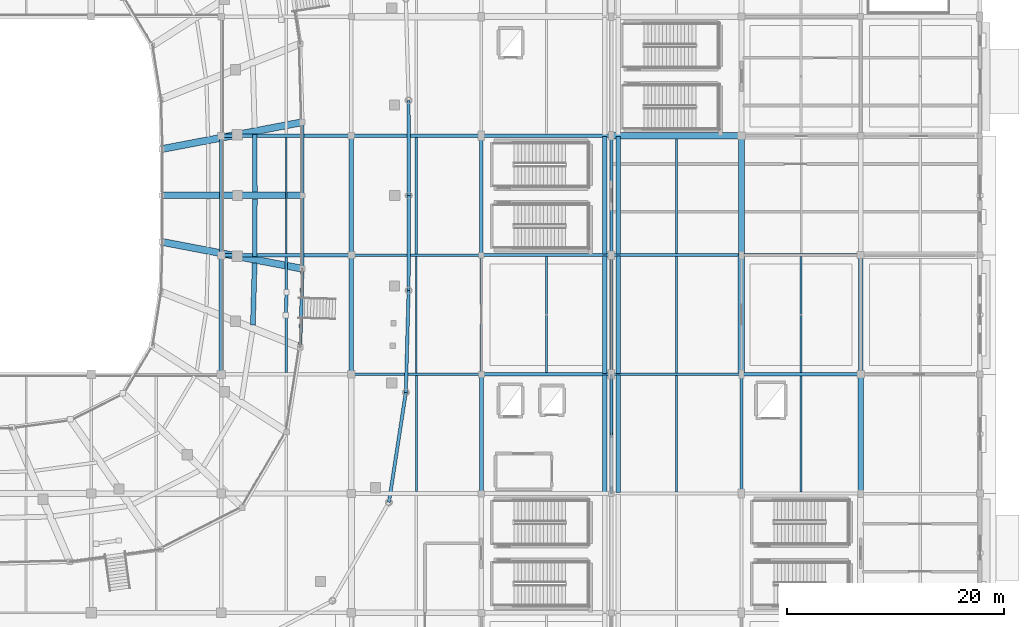
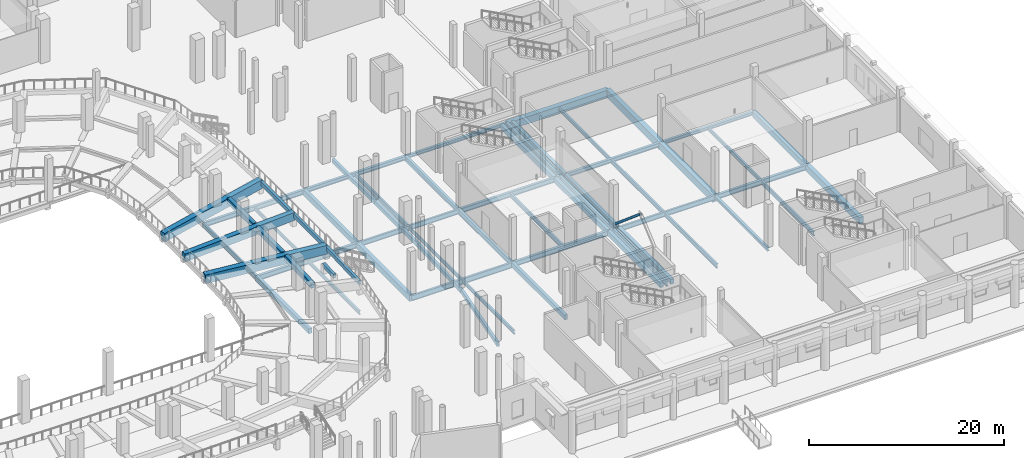
# One storey, part 31 of 120: 59 beams, 1 member.
"""IFC4 building model written with IfcOpenShell, lengths in metres."""

from ifc_helpers import new_model, si_unit, direction, frame, origin, origin_2d, place, context, subcontext, project, spatial, rectangle, hollow_rectangle, i_section, extrude, material, material_profile, profile_set, type_object, element, save


model = new_model("IFC4")

# Units and contexts
model_context = context("Model", 3, precision=1e-05, world=origin(), true_north=direction((0.0, 1.0)))
body_context = subcontext(model_context, "Body", "Model", "MODEL_VIEW")
ifc_project = project(units=[si_unit("LENGTHUNIT", "METRE"), si_unit("AREAUNIT", "SQUARE_METRE"), si_unit("VOLUMEUNIT", "CUBIC_METRE"), si_unit("PLANEANGLEUNIT", "RADIAN"), si_unit("MASSUNIT", "GRAM", prefix="KILO")], contexts=[model_context])

# Site, building, storey
site_placement = place(None, origin())
site = spatial("IfcSite", under=ifc_project, at=site_placement, CompositionType="ELEMENT")
building_placement = place(site_placement, origin())
building = spatial("IfcBuilding", under=site, at=building_placement, Name="Luwafu Chhajja Arena", CompositionType="ELEMENT")
storey_placement = place(building_placement, origin())
storey = spatial("IfcBuildingStorey", under=building, at=storey_placement, Name="L00", CompositionType="ELEMENT", Elevation=0.0)

# Beams
ifc_material_1 = material(Name="Concrete C35/45", Category="concrete")
ifc_material_profile_1 = material_profile(ifc_material_1, rectangle(XDim=0.35009765625, YDim=0.60009765625, at=origin_2d()), Name="RC 350x600")
ifc_profile_set_1 = profile_set([ifc_material_profile_1], Name="Concrete C35/45")
beam_type_1 = type_object("IfcBeamType", Name="Arcade Tie Beam RC 350x600", PredefinedType="BEAM", material=ifc_profile_set_1)
beam_1_placement = place(storey_placement, frame((152.0, 22.0, -0.64990234375), z_axis=(0.0, 1.0, 0.0), x_axis=(-1.0, 0.0, 0.0)))
element("IfcBeam", 1, at=beam_1_placement, inside=storey, type_object=beam_type_1, Name="L00 Grid Beam 14/C-D", PredefinedType="BEAM", context=body_context, shape_type="SweptSolid", body=[
    extrude(rectangle(XDim=0.35009765625, YDim=0.60009765625, at=origin_2d()), origin(), (0.0, 0.0, 1.0), 11.0),
])
ifc_material_2 = material(Name="Precast concrete C40/50", Category="concrete")
ifc_material_profile_2 = material_profile(ifc_material_2, rectangle(XDim=0.449951171875, YDim=0.64990234375, at=origin_2d()), Name="RC 450x650")
ifc_profile_set_2 = profile_set([ifc_material_profile_2], Name="Precast concrete C40/50")
beam_type_2 = type_object("IfcBeamType", Name="Bowl Tier Ring Beam RC 450x650", PredefinedType="BEAM", material=ifc_profile_set_2)
beam_2_placement = place(storey_placement, frame((131.099609375, 49.804931640625, 1.304931640625), z_axis=(-0.001469573614, 0.999998920176, 0.0), x_axis=(-0.999998920176, -0.001469573614, 0.0)))
element("IfcBeam", 2, at=beam_2_placement, inside=storey, type_object=beam_type_2, Name="Lower Tier Ring Beam S01-B3", PredefinedType="BEAM", context=body_context, shape_type="SweptSolid", body=[
    extrude(rectangle(XDim=0.449951171875, YDim=0.64990234375, at=origin_2d()), origin(), (0.0, 0.0, 1.0), 5.316162109375),
])
beam_3_placement = place(storey_placement, frame((130.922607421875, 37.53271484375, 1.304931640625), z_axis=(0.02790877048, 0.9996104744, 0.0), x_axis=(-0.9996104744, 0.02790877048, 0.0)))
element("IfcBeam", 3, at=beam_3_placement, inside=storey, type_object=beam_type_2, Name="Lower Tier Ring Beam S31-B3", PredefinedType="BEAM", context=body_context, shape_type="SweptSolid", body=[
    extrude(rectangle(XDim=0.449951171875, YDim=0.64990234375, at=origin_2d()), origin(), (0.0, 0.0, 1.0), 5.738525390625),
])
beam_4_placement = place(storey_placement, frame((131.091796875, 43.87890625, 1.304931640625), z_axis=(0.001469573614, 0.999998920176, 0.0), x_axis=(-0.999998920176, 0.001469573614, 0.0)))
element("IfcBeam", 4, at=beam_4_placement, inside=storey, type_object=beam_type_2, Name="Lower Tier Ring Beam S32-B3", PredefinedType="BEAM", context=body_context, shape_type="SweptSolid", body=[
    extrude(rectangle(XDim=0.449951171875, YDim=0.64990234375, at=origin_2d()), origin(), (0.0, 0.0, 1.0), 5.316162109375),
])
ifc_material_profile_3 = material_profile(ifc_material_1, rectangle(XDim=0.60009765625, YDim=0.89990234375, at=origin_2d()), Name="RC 600x900")
ifc_profile_set_3 = profile_set([ifc_material_profile_3], Name="Concrete C35/45")
beam_type_3 = type_object("IfcBeamType", Name="Concourse Primary Girder RC 600x900", PredefinedType="BEAM", material=ifc_profile_set_3)
beam_5_placement = place(storey_placement, frame((164.0, 55.0, -0.800048828125), z_axis=(1.0, 0.0, 0.0), x_axis=(0.0, 1.0, 0.0)))
element("IfcBeam", 5, at=beam_5_placement, inside=storey, type_object=beam_type_3, Name="L00 Grid Beam 15-16/F", PredefinedType="BEAM", context=body_context, shape_type="SweptSolid", body=[
    extrude(rectangle(XDim=0.60009765625, YDim=0.89990234375, at=origin_2d()), origin(), (0.0, 0.0, 1.0), 12.0),
])
beam_6_placement = place(storey_placement, frame((176.0, 33.0, -0.800048828125), z_axis=(0.0, 1.0, 0.0), x_axis=(-1.0, 0.0, 0.0)))
element("IfcBeam", 6, at=beam_6_placement, inside=storey, type_object=beam_type_3, Name="L00 Grid Beam 16/D-E", PredefinedType="BEAM", context=body_context, shape_type="SweptSolid", body=[
    extrude(rectangle(XDim=0.60009765625, YDim=0.89990234375, at=origin_2d()), origin(), (0.0, 0.0, 1.0), 11.0),
])
ifc_material_profile_4 = material_profile(ifc_material_1, rectangle(XDim=0.550048828125, YDim=0.949951171875, at=origin_2d()), Name="RC 550x950")
ifc_profile_set_4 = profile_set([ifc_material_profile_4], Name="Concrete C35/45")
beam_type_4 = type_object("IfcBeamType", Name="Concourse Radial Girder RC 550x950", PredefinedType="BEAM", material=ifc_profile_set_4)
beam_7_placement = place(storey_placement, frame((176.0, 44.0, -0.824951171875), z_axis=(0.0, 1.0, 0.0), x_axis=(-1.0, 0.0, 0.0)))
element("IfcBeam", 7, at=beam_7_placement, inside=storey, type_object=beam_type_4, Name="L00 Grid Beam 16/E-F", PredefinedType="BEAM", context=body_context, shape_type="SweptSolid", body=[
    extrude(rectangle(XDim=0.550048828125, YDim=0.949951171875, at=origin_2d()), origin(), (0.0, 0.0, 1.0), 11.0),
])

# Member
ifc_material_3 = material(Name="Steel S355", Category="steel")
ifc_material_profile_5 = material_profile(ifc_material_3, hollow_rectangle(XDim=0.25, YDim=0.25, WallThickness=0.011962890625, at=origin_2d()), Name="SHS 250x250x12")
ifc_profile_set_5 = profile_set([ifc_material_profile_5], Name="Steel S355")
member_type = type_object("IfcMemberType", Name="Core Frame Brace SHS 250", PredefinedType="BRACE", material=ifc_profile_set_5)
member_placement = place(storey_placement, frame((164.0, 33.0, 0.1201171875), z_axis=(0.0, -0.763656234515, 0.645623075398), x_axis=(1.0, 0.0, 0.0)))
element("IfcMember", 8, at=member_placement, inside=storey, type_object=member_type, Name="L00 Lateral Chevron Brace 07B", PredefinedType="BRACE", context=body_context, shape_type="SweptSolid", body=[
    extrude(hollow_rectangle(XDim=0.25, YDim=0.25, WallThickness=0.011962890625, at=origin_2d()), origin(), (0.0, 0.0, 1.0), 7.2021484375),
])

# Beams
ifc_material_profile_6 = material_profile(ifc_material_3, i_section(OverallWidth=0.15283203125, OverallDepth=0.45458984375, WebThickness=0.008056640625, FlangeThickness=0.01318359375, at=origin_2d()), Name="UB 457x152x60")
ifc_profile_set_6 = profile_set([ifc_material_profile_6], Name="Steel S355")
beam_type_5 = type_object("IfcBeamType", Name="Floor Joist UB 457x152x60", PredefinedType="JOIST", material=ifc_profile_set_6)
beam_8_placement = place(storey_placement, frame((134.0, 44.153564453125, -0.577392578125), z_axis=(0.0, 1.0, 0.0), x_axis=(-1.0, 0.0, 0.0)))
element("IfcBeam", 9, at=beam_8_placement, inside=storey, type_object=beam_type_5, Name="L00 Secondary Joist 12-13/E", PredefinedType="JOIST", context=body_context, shape_type="SweptSolid", body=[
    extrude(i_section(OverallWidth=0.15283203125, OverallDepth=0.45458984375, WebThickness=0.008056640625, FlangeThickness=0.01318359375, at=origin_2d()), origin(), (0.0, 0.0, 1.0), 10.696533203125),
])
beam_9_placement = place(storey_placement, frame((146.0, 33.126708984375, -0.577392578125), z_axis=(0.0, 1.0, 0.0), x_axis=(-1.0, 0.0, 0.0)))
element("IfcBeam", 10, at=beam_9_placement, inside=storey, type_object=beam_type_5, Name="L00 Secondary Joist 13-14/D", PredefinedType="JOIST", context=body_context, shape_type="SweptSolid", body=[
    extrude(i_section(OverallWidth=0.15283203125, OverallDepth=0.45458984375, WebThickness=0.008056640625, FlangeThickness=0.01318359375, at=origin_2d()), origin(), (0.0, 0.0, 1.0), 10.7587890625),
])
ifc_material_profile_7 = material_profile(ifc_material_3, i_section(OverallWidth=0.19140625, OverallDepth=0.4599609375, WebThickness=0.010009765625, FlangeThickness=0.01611328125, at=origin_2d()), Name="UB 457x191x82")
ifc_profile_set_7 = profile_set([ifc_material_profile_7], Name="Steel S355")
beam_type_6 = type_object("IfcBeamType", Name="Floor Joist UB 457x191x82", PredefinedType="JOIST", material=ifc_profile_set_7)
beam_10_placement = place(storey_placement, frame((134.0, 33.175048828125, -0.580078125), z_axis=(0.0, 1.0, 0.0), x_axis=(-1.0, 0.0, 0.0)))
element("IfcBeam", 11, at=beam_10_placement, inside=storey, type_object=beam_type_6, Name="L00 Secondary Joist 12-13/D", PredefinedType="JOIST", context=body_context, shape_type="SweptSolid", body=[
    extrude(i_section(OverallWidth=0.19140625, OverallDepth=0.4599609375, WebThickness=0.010009765625, FlangeThickness=0.01611328125, at=origin_2d()), origin(), (0.0, 0.0, 1.0), 10.67138671875),
])
beam_11_placement = place(storey_placement, frame((146.0, 22.199951171875, -0.580078125), z_axis=(0.0, 1.0, 0.0), x_axis=(-1.0, 0.0, 0.0)))
element("IfcBeam", 12, at=beam_11_placement, inside=storey, type_object=beam_type_6, Name="L00 Secondary Joist 13-14/C", PredefinedType="JOIST", context=body_context, shape_type="SweptSolid", body=[
    extrude(i_section(OverallWidth=0.19140625, OverallDepth=0.4599609375, WebThickness=0.010009765625, FlangeThickness=0.01611328125, at=origin_2d()), origin(), (0.0, 0.0, 1.0), 10.67333984375),
])
beam_12_placement = place(storey_placement, frame((170.0, 44.14990234375, -0.580078125), z_axis=(0.0, 1.0, 0.0), x_axis=(-1.0, 0.0, 0.0)))
element("IfcBeam", 13, at=beam_12_placement, inside=storey, type_object=beam_type_6, Name="L00 Secondary Joist 15-16/E", PredefinedType="JOIST", context=body_context, shape_type="SweptSolid", body=[
    extrude(i_section(OverallWidth=0.19140625, OverallDepth=0.4599609375, WebThickness=0.010009765625, FlangeThickness=0.01611328125, at=origin_2d()), origin(), (0.0, 0.0, 1.0), 10.550048828125),
])
beam_13_placement = place(storey_placement, frame((181.5, 33.14990234375, -0.580078125), z_axis=(0.0, 1.0, 0.0), x_axis=(-1.0, 0.0, 0.0)))
element("IfcBeam", 14, at=beam_13_placement, inside=storey, type_object=beam_type_6, Name="L00 Secondary Joist 16-17/D", PredefinedType="JOIST", context=body_context, shape_type="SweptSolid", body=[
    extrude(i_section(OverallWidth=0.19140625, OverallDepth=0.4599609375, WebThickness=0.010009765625, FlangeThickness=0.01611328125, at=origin_2d()), origin(), (0.0, 0.0, 1.0), 10.7001953125),
])
ifc_material_profile_8 = material_profile(ifc_material_3, i_section(OverallWidth=0.2099609375, OverallDepth=0.53662109375, WebThickness=0.0107421875, FlangeThickness=0.017333984375, at=origin_2d()), Name="UB 533x210x101")
ifc_profile_set_8 = profile_set([ifc_material_profile_8], Name="Steel S355")
beam_type_7 = type_object("IfcBeamType", Name="Floor Joist UB 533x210x101", PredefinedType="JOIST", material=ifc_profile_set_8)
beam_14_placement = place(storey_placement, frame((146.0, 44.114501953125, -0.618408203125), z_axis=(0.0, 1.0, 0.0), x_axis=(-1.0, 0.0, 0.0)))
element("IfcBeam", 15, at=beam_14_placement, inside=storey, type_object=beam_type_7, Name="L00 Secondary Joist 13-14/E", PredefinedType="JOIST", context=body_context, shape_type="SweptSolid", body=[
    extrude(i_section(OverallWidth=0.2099609375, OverallDepth=0.53662109375, WebThickness=0.0107421875, FlangeThickness=0.017333984375, at=origin_2d()), origin(), (0.0, 0.0, 1.0), 10.735595703125),
])
beam_15_placement = place(storey_placement, frame((158.0, 33.153564453125, -0.618408203125), z_axis=(0.0, 1.0, 0.0), x_axis=(-1.0, 0.0, 0.0)))
element("IfcBeam", 16, at=beam_15_placement, inside=storey, type_object=beam_type_7, Name="L00 Secondary Joist 14-15/D", PredefinedType="JOIST", context=body_context, shape_type="SweptSolid", body=[
    extrude(i_section(OverallWidth=0.2099609375, OverallDepth=0.53662109375, WebThickness=0.0107421875, FlangeThickness=0.017333984375, at=origin_2d()), origin(), (0.0, 0.0, 1.0), 10.696533203125),
])
beam_16_placement = place(storey_placement, frame((170.0, 22.126953125, -0.618408203125), z_axis=(0.0, 1.0, 0.0), x_axis=(-1.0, 0.0, 0.0)))
element("IfcBeam", 17, at=beam_16_placement, inside=storey, type_object=beam_type_7, Name="L00 Secondary Joist 15-16/C", PredefinedType="JOIST", context=body_context, shape_type="SweptSolid", body=[
    extrude(i_section(OverallWidth=0.2099609375, OverallDepth=0.53662109375, WebThickness=0.0107421875, FlangeThickness=0.017333984375, at=origin_2d()), origin(), (0.0, 0.0, 1.0), 10.758544921875),
])
ifc_material_profile_9 = material_profile(ifc_material_3, i_section(OverallWidth=0.209228515625, OverallDepth=0.533203125, WebThickness=0.010009765625, FlangeThickness=0.015625, at=origin_2d()), Name="UB 533x210x92")
ifc_profile_set_9 = profile_set([ifc_material_profile_9], Name="Steel S355")
beam_type_8 = type_object("IfcBeamType", Name="Floor Joist UB 533x210x92", PredefinedType="JOIST", material=ifc_profile_set_9)
beam_17_placement = place(storey_placement, frame((170.0, 33.114501953125, -0.616455078125), z_axis=(0.0, 1.0, 0.0), x_axis=(-1.0, 0.0, 0.0)))
element("IfcBeam", 18, at=beam_17_placement, inside=storey, type_object=beam_type_8, Name="L00 Secondary Joist 15-16/D", PredefinedType="JOIST", context=body_context, shape_type="SweptSolid", body=[
    extrude(i_section(OverallWidth=0.209228515625, OverallDepth=0.533203125, WebThickness=0.010009765625, FlangeThickness=0.015625, at=origin_2d()), origin(), (0.0, 0.0, 1.0), 10.735595703125),
])
beam_18_placement = place(storey_placement, frame((181.5, 22.153564453125, -0.616455078125), z_axis=(0.0, 1.0, 0.0), x_axis=(-1.0, 0.0, 0.0)))
element("IfcBeam", 19, at=beam_18_placement, inside=storey, type_object=beam_type_8, Name="L00 Secondary Joist 16-17/C", PredefinedType="JOIST", context=body_context, shape_type="SweptSolid", body=[
    extrude(i_section(OverallWidth=0.209228515625, OverallDepth=0.533203125, WebThickness=0.010009765625, FlangeThickness=0.015625, at=origin_2d()), origin(), (0.0, 0.0, 1.0), 10.696533203125),
])
ifc_material_profile_10 = material_profile(ifc_material_1, rectangle(XDim=0.5, YDim=0.800048828125, at=origin_2d()), Name="RC 500x800")
ifc_profile_set_10 = profile_set([ifc_material_profile_10], Name="Concrete C35/45")
beam_type_9 = type_object("IfcBeamType", Name="Hospitality Primary Beam RC 500x800", PredefinedType="BEAM", material=ifc_profile_set_10)
beam_19_placement = place(storey_placement, frame((187.0, 22.0, -0.75), z_axis=(0.0, 1.0, 0.0), x_axis=(-1.0, 0.0, 0.0)))
element("IfcBeam", 20, at=beam_19_placement, inside=storey, type_object=beam_type_9, Name="L00 Grid Beam 17/C-D", PredefinedType="BEAM", context=body_context, shape_type="SweptSolid", body=[
    extrude(rectangle(XDim=0.5, YDim=0.800048828125, at=origin_2d()), origin(), (0.0, 0.0, 1.0), 11.0),
])
ifc_material_profile_11 = material_profile(ifc_material_3, hollow_rectangle(XDim=0.300048828125, YDim=0.5, WallThickness=0.02001953125, at=origin_2d()), Name="RHS 500x300x20")
ifc_profile_set_11 = profile_set([ifc_material_profile_11], Name="Steel S355")
beam_type_10 = type_object("IfcBeamType", Name="Pleated Drum Spandrel Beam RHS 500x300", PredefinedType="SPANDREL", material=ifc_profile_set_11)
beam_20_placement = place(storey_placement, frame((128.0, 44.0, -0.60009765625), z_axis=(0.0, 1.0, 0.0), x_axis=(-1.0, 0.0, 0.0)))
element("IfcBeam", 21, at=beam_20_placement, inside=storey, type_object=beam_type_10, Name="L00 Grid Beam 12/E-F", PredefinedType="SPANDREL", context=body_context, shape_type="SweptSolid", body=[
    extrude(hollow_rectangle(XDim=0.300048828125, YDim=0.5, WallThickness=0.02001953125, at=origin_2d()), origin(), (0.0, 0.0, 1.0), 11.0),
])
beam_21_placement = place(storey_placement, frame((145.300048828125, 49.5, -0.60009765625), z_axis=(-0.001419780869, 0.999998992111, 0.0), x_axis=(-0.999998992111, -0.001419780869, 0.0)))
element("IfcBeam", 22, at=beam_21_placement, inside=storey, type_object=beam_type_10, Name="L00 Drum Ring Spandrel D01-D02", PredefinedType="SPANDREL", context=body_context, shape_type="SweptSolid", body=[
    extrude(hollow_rectangle(XDim=0.300048828125, YDim=0.5, WallThickness=0.02001953125, at=origin_2d()), origin(), (0.0, 0.0, 1.0), 8.769775390625),
])
beam_22_placement = place(storey_placement, frame((143.47607421875, 21.194091796875, -0.60009765625), z_axis=(0.1515977802, 0.988442265911, 0.0), x_axis=(-0.988442265911, 0.1515977802, 0.0)))
element("IfcBeam", 23, at=beam_22_placement, inside=storey, type_object=beam_type_10, Name="L00 Drum Ring Spandrel D30-D31", PredefinedType="SPANDREL", context=body_context, shape_type="SweptSolid", body=[
    extrude(hollow_rectangle(XDim=0.300048828125, YDim=0.5, WallThickness=0.02001953125, at=origin_2d()), origin(), (0.0, 0.0, 1.0), 10.263427734375),
])
beam_23_placement = place(storey_placement, frame((145.031982421875, 31.3388671875, -0.60009765625), z_axis=(0.02720805866, 0.999629792245, 0.0), x_axis=(-0.999629792245, 0.02720805866, 0.0)))
element("IfcBeam", 24, at=beam_23_placement, inside=storey, type_object=beam_type_10, Name="L00 Drum Ring Spandrel D31-D32", PredefinedType="SPANDREL", context=body_context, shape_type="SweptSolid", body=[
    extrude(hollow_rectangle(XDim=0.300048828125, YDim=0.5, WallThickness=0.02001953125, at=origin_2d()), origin(), (0.0, 0.0, 1.0), 9.394775390625),
])
beam_24_placement = place(storey_placement, frame((145.28759765625, 40.730224609375, -0.60009765625), z_axis=(0.001419780869, 0.999998992111, 0.0), x_axis=(-0.999998992111, 0.001419780869, 0.0)))
element("IfcBeam", 25, at=beam_24_placement, inside=storey, type_object=beam_type_10, Name="L00 Drum Ring Spandrel D32-D01", PredefinedType="SPANDREL", context=body_context, shape_type="SweptSolid", body=[
    extrude(hollow_rectangle(XDim=0.300048828125, YDim=0.5, WallThickness=0.02001953125, at=origin_2d()), origin(), (0.0, 0.0, 1.0), 8.769775390625),
])
ifc_material_profile_12 = material_profile(ifc_material_1, rectangle(XDim=0.39990234375, YDim=0.60009765625, at=origin_2d()), Name="RC 400x600")
ifc_profile_set_12 = profile_set([ifc_material_profile_12], Name="Concrete C35/45")
beam_type_11 = type_object("IfcBeamType", Name="Podium Perimeter Spandrel RC 400x600", PredefinedType="SPANDREL", material=ifc_profile_set_12)
beam_25_placement = place(storey_placement, frame((128.0, 33.0, -0.64990234375), z_axis=(0.0, 1.0, 0.0), x_axis=(-1.0, 0.0, 0.0)))
element("IfcBeam", 26, at=beam_25_placement, inside=storey, type_object=beam_type_11, Name="L00 Grid Beam 12/D-E", PredefinedType="SPANDREL", context=body_context, shape_type="SweptSolid", body=[
    extrude(rectangle(XDim=0.39990234375, YDim=0.60009765625, at=origin_2d()), origin(), (0.0, 0.0, 1.0), 11.0),
])
for number, where, z_axis, x_axis, name in (
    (27, (163.3798828125, 22.080078125, -0.64990234375), (0.0, 1.0, 0.0), (-1.0, 0.0, 0.0), "L00 Movement Joint MJ2W Seat Girder 02"),
    (28, (163.3798828125, 33.080078125, -0.64990234375), (0.0, 1.0, 0.0), (-1.0, 0.0, 0.0), "L00 Movement Joint MJ2W Seat Girder 03"),
    (29, (163.3798828125, 44.080078125, -0.64990234375), (0.0, 1.0, 0.0), (-1.0, 0.0, 0.0), "L00 Movement Joint MJ2W Seat Girder 04"),
    (30, (164.6201171875, 22.080078125, -0.64990234375), (0.0, 1.0, 0.0), (-1.0, 0.0, 0.0), "L00 Movement Joint MJ2E Seat Girder 02"),
    (31, (164.6201171875, 33.080078125, -0.64990234375), (0.0, 1.0, 0.0), (-1.0, 0.0, 0.0), "L00 Movement Joint MJ2E Seat Girder 03"),
    (32, (164.6201171875, 44.080078125, -0.64990234375), (0.0, 1.0, 0.0), (-1.0, 0.0, 0.0), "L00 Movement Joint MJ2E Seat Girder 04"),
):
    element("IfcBeam", number, at=place(storey_placement, frame(where, z_axis=z_axis, x_axis=x_axis)), inside=storey, type_object=beam_type_11, Name=name, PredefinedType="SPANDREL", context=body_context, shape_type="SweptSolid", body=[
        extrude(rectangle(XDim=0.39990234375, YDim=0.60009765625, at=origin_2d()), origin(), (0.0, 0.0, 1.0), 10.83984375),
    ])
ifc_material_4 = material(Name="Precast concrete C45/55", Category="concrete")
ifc_material_profile_13 = material_profile(ifc_material_4, rectangle(XDim=0.60009765625, YDim=1.0, at=origin_2d()), Name="PC 600x1000")
ifc_profile_set_13 = profile_set([ifc_material_profile_13], Name="Precast concrete C45/55")
beam_type_12 = type_object("IfcBeamType", Name="Precast Corner Bowl Raker PC 600x1000", PredefinedType="USERDEFINED", material=ifc_profile_set_13)
beam_26_placement = place(storey_placement, frame((122.5, 49.5, 0.580078125), z_axis=(0.998553642087, 0.0, 0.053764522458), x_axis=(0.0, 1.0, 0.0)))
element("IfcBeam", 33, at=beam_26_placement, inside=storey, type_object=beam_type_12, Name="Lower Bowl Raker RKR-L01", ObjectType="RAKER", PredefinedType="USERDEFINED", context=body_context, shape_type="SweptSolid", body=[
    extrude(rectangle(XDim=0.60009765625, YDim=1.0, at=origin_2d()), origin(), (0.0, 0.0, 1.0), 13.018798828125),
])
ifc_material_profile_14 = material_profile(ifc_material_4, rectangle(XDim=0.64990234375, YDim=1.10009765625, at=origin_2d()), Name="PC 650x1100")
ifc_profile_set_14 = profile_set([ifc_material_profile_14], Name="Precast concrete C45/55")
beam_type_13 = type_object("IfcBeamType", Name="Precast Lower Bowl Raker PC 650x1100", PredefinedType="USERDEFINED", material=ifc_profile_set_14)
for number, where, z_axis, x_axis, name in (
    (34, (122.49365234375, 53.775390625, 0.530029296875), (0.980823903509, 0.187600950248, 0.052823799289), (-0.187863235788, 0.982195196811, 0.0), "Lower Bowl Raker RKR-L02"),
    (35, (122.49365234375, 45.224609375, 0.530029296875), (0.980823903509, -0.187600950248, 0.052823799289), (0.187863235788, 0.982195196811, 0.0), "Lower Bowl Raker RKR-L32"),
):
    element("IfcBeam", number, at=place(storey_placement, frame(where, z_axis=z_axis, x_axis=x_axis)), inside=storey, type_object=beam_type_13, Name=name, ObjectType="RAKER", PredefinedType="USERDEFINED", context=body_context, shape_type="SweptSolid", body=[
        extrude(rectangle(XDim=0.64990234375, YDim=1.10009765625, at=origin_2d()), origin(), (0.0, 0.0, 1.0), 13.250732421875),
    ])
ifc_material_profile_15 = material_profile(ifc_material_3, i_section(OverallWidth=0.300048828125, OverallDepth=0.5, WebThickness=0.014404296875, FlangeThickness=0.028076171875, at=origin_2d()), Name="HEB 500")
ifc_profile_set_15 = profile_set([ifc_material_profile_15], Name="Steel S355")
beam_type_14 = type_object("IfcBeamType", Name="Steel Atrium Tie Girder HEB 500", PredefinedType="BEAM", material=ifc_profile_set_15)
for number, where, z_axis, x_axis, name in (
    (36, (140.0, 55.0, -0.60009765625), (1.0, 0.0, 0.0), (0.0, 1.0, 0.0), "L00 Grid Beam 13-14/F"),
    (37, (164.0, 44.0, -0.60009765625), (1.0, 0.0, 0.0), (0.0, 1.0, 0.0), "L00 Grid Beam 15-16/E"),
):
    element("IfcBeam", number, at=place(storey_placement, frame(where, z_axis=z_axis, x_axis=x_axis)), inside=storey, type_object=beam_type_14, Name=name, PredefinedType="BEAM", context=body_context, shape_type="SweptSolid", body=[
        extrude(i_section(OverallWidth=0.300048828125, OverallDepth=0.5, WebThickness=0.014404296875, FlangeThickness=0.028076171875, at=origin_2d()), origin(), (0.0, 0.0, 1.0), 12.0),
    ])
beam_27_placement = place(storey_placement, frame((164.0, 44.0, -0.60009765625), z_axis=(0.0, 1.0, 0.0), x_axis=(-1.0, 0.0, 0.0)))
element("IfcBeam", 38, at=beam_27_placement, inside=storey, type_object=beam_type_14, Name="L00 Grid Beam 15/E-F", PredefinedType="BEAM", context=body_context, shape_type="SweptSolid", body=[
    extrude(i_section(OverallWidth=0.300048828125, OverallDepth=0.5, WebThickness=0.014404296875, FlangeThickness=0.028076171875, at=origin_2d()), origin(), (0.0, 0.0, 1.0), 11.0),
])
ifc_material_profile_16 = material_profile(ifc_material_3, i_section(OverallWidth=0.253662109375, OverallDepth=0.68359375, WebThickness=0.012451171875, FlangeThickness=0.01904296875, at=origin_2d()), Name="UB 686x254x140")
ifc_profile_set_16 = profile_set([ifc_material_profile_16], Name="Steel S355")
beam_type_15 = type_object("IfcBeamType", Name="Steel Concourse Girder UB 686x254x140", PredefinedType="BEAM", material=ifc_profile_set_16)
beam_28_placement = place(storey_placement, frame((140.0, 33.0, -0.691650390625), z_axis=(1.0, 0.0, 0.0), x_axis=(0.0, 1.0, 0.0)))
element("IfcBeam", 39, at=beam_28_placement, inside=storey, type_object=beam_type_15, Name="L00 Grid Beam 13-14/D", PredefinedType="BEAM", context=body_context, shape_type="SweptSolid", body=[
    extrude(i_section(OverallWidth=0.253662109375, OverallDepth=0.68359375, WebThickness=0.012451171875, FlangeThickness=0.01904296875, at=origin_2d()), origin(), (0.0, 0.0, 1.0), 12.0),
])
beam_29_placement = place(storey_placement, frame((152.0, 33.0, -0.691650390625), z_axis=(0.0, 1.0, 0.0), x_axis=(-1.0, 0.0, 0.0)))
element("IfcBeam", 40, at=beam_29_placement, inside=storey, type_object=beam_type_15, Name="L00 Grid Beam 14/D-E", PredefinedType="BEAM", context=body_context, shape_type="SweptSolid", body=[
    extrude(i_section(OverallWidth=0.253662109375, OverallDepth=0.68359375, WebThickness=0.012451171875, FlangeThickness=0.01904296875, at=origin_2d()), origin(), (0.0, 0.0, 1.0), 11.0),
])
ifc_material_profile_17 = material_profile(ifc_material_3, i_section(OverallWidth=0.300048828125, OverallDepth=0.60009765625, WebThickness=0.015380859375, FlangeThickness=0.030029296875, at=origin_2d()), Name="HEB 600")
ifc_profile_set_17 = profile_set([ifc_material_profile_17], Name="Steel S355")
beam_type_16 = type_object("IfcBeamType", Name="Steel Gallery Girder HEB 600", PredefinedType="BEAM", material=ifc_profile_set_17)
for number, where, z_axis, x_axis, name in (
    (41, (128.0, 55.0, -0.64990234375), (1.0, 0.0, 0.0), (0.0, 1.0, 0.0), "L00 Grid Beam 12-13/F"),
    (42, (152.0, 44.0, -0.64990234375), (1.0, 0.0, 0.0), (0.0, 1.0, 0.0), "L00 Grid Beam 14-15/E"),
):
    element("IfcBeam", number, at=place(storey_placement, frame(where, z_axis=z_axis, x_axis=x_axis)), inside=storey, type_object=beam_type_16, Name=name, PredefinedType="BEAM", context=body_context, shape_type="SweptSolid", body=[
        extrude(i_section(OverallWidth=0.300048828125, OverallDepth=0.60009765625, WebThickness=0.015380859375, FlangeThickness=0.030029296875, at=origin_2d()), origin(), (0.0, 0.0, 1.0), 12.0),
    ])
for number, where, z_axis, x_axis, name in (
    (43, (176.0, 33.0, -0.64990234375), (1.0, 0.0, 0.0), (0.0, 1.0, 0.0), "L00 Grid Beam 16-17/D"),
    (44, (164.0, 33.0, -0.64990234375), (0.0, 1.0, 0.0), (-1.0, 0.0, 0.0), "L00 Grid Beam 15/D-E"),
):
    element("IfcBeam", number, at=place(storey_placement, frame(where, z_axis=z_axis, x_axis=x_axis)), inside=storey, type_object=beam_type_16, Name=name, PredefinedType="BEAM", context=body_context, shape_type="SweptSolid", body=[
        extrude(i_section(OverallWidth=0.300048828125, OverallDepth=0.60009765625, WebThickness=0.015380859375, FlangeThickness=0.030029296875, at=origin_2d()), origin(), (0.0, 0.0, 1.0), 11.0),
    ])
ifc_material_profile_18 = material_profile(ifc_material_3, i_section(OverallWidth=0.30712890625, OverallDepth=0.6201171875, WebThickness=0.01416015625, FlangeThickness=0.023681640625, at=origin_2d()), Name="UB 610x305x179")
ifc_profile_set_18 = profile_set([ifc_material_profile_18], Name="Steel S355")
beam_type_17 = type_object("IfcBeamType", Name="Steel Hospitality Girder UB 610x305x179", PredefinedType="BEAM", material=ifc_profile_set_18)
for number, where, z_axis, x_axis, name in (
    (45, (128.0, 44.0, -0.66015625), (1.0, 0.0, 0.0), (0.0, 1.0, 0.0), "L00 Grid Beam 12-13/E"),
    (46, (152.0, 33.0, -0.66015625), (1.0, 0.0, 0.0), (0.0, 1.0, 0.0), "L00 Grid Beam 14-15/D"),
):
    element("IfcBeam", number, at=place(storey_placement, frame(where, z_axis=z_axis, x_axis=x_axis)), inside=storey, type_object=beam_type_17, Name=name, PredefinedType="BEAM", context=body_context, shape_type="SweptSolid", body=[
        extrude(i_section(OverallWidth=0.30712890625, OverallDepth=0.6201171875, WebThickness=0.01416015625, FlangeThickness=0.023681640625, at=origin_2d()), origin(), (0.0, 0.0, 1.0), 12.0),
    ])
beam_30_placement = place(storey_placement, frame((152.0, 44.0, -0.66015625), z_axis=(0.0, 1.0, 0.0), x_axis=(-1.0, 0.0, 0.0)))
element("IfcBeam", 47, at=beam_30_placement, inside=storey, type_object=beam_type_17, Name="L00 Grid Beam 14/E-F", PredefinedType="BEAM", context=body_context, shape_type="SweptSolid", body=[
    extrude(i_section(OverallWidth=0.30712890625, OverallDepth=0.6201171875, WebThickness=0.01416015625, FlangeThickness=0.023681640625, at=origin_2d()), origin(), (0.0, 0.0, 1.0), 11.0),
])
ifc_material_profile_19 = material_profile(ifc_material_3, i_section(OverallWidth=0.22900390625, OverallDepth=0.6123046875, WebThickness=0.011962890625, FlangeThickness=0.01953125, at=origin_2d()), Name="UB 610x229x125")
ifc_profile_set_19 = profile_set([ifc_material_profile_19], Name="Steel S355")
beam_type_18 = type_object("IfcBeamType", Name="Steel Mezzanine Girder UB 610x229x125", PredefinedType="BEAM", material=ifc_profile_set_19)
for number, where, z_axis, x_axis, name in (
    (48, (140.0, 44.0, -0.656005859375), (1.0, 0.0, 0.0), (0.0, 1.0, 0.0), "L00 Grid Beam 13-14/E"),
    (49, (164.0, 33.0, -0.656005859375), (1.0, 0.0, 0.0), (0.0, 1.0, 0.0), "L00 Grid Beam 15-16/D"),
):
    element("IfcBeam", number, at=place(storey_placement, frame(where, z_axis=z_axis, x_axis=x_axis)), inside=storey, type_object=beam_type_18, Name=name, PredefinedType="BEAM", context=body_context, shape_type="SweptSolid", body=[
        extrude(i_section(OverallWidth=0.22900390625, OverallDepth=0.6123046875, WebThickness=0.011962890625, FlangeThickness=0.01953125, at=origin_2d()), origin(), (0.0, 0.0, 1.0), 12.0),
    ])
beam_31_placement = place(storey_placement, frame((164.0, 22.0, -0.656005859375), z_axis=(0.0, 1.0, 0.0), x_axis=(-1.0, 0.0, 0.0)))
element("IfcBeam", 50, at=beam_31_placement, inside=storey, type_object=beam_type_18, Name="L00 Grid Beam 15/C-D", PredefinedType="BEAM", context=body_context, shape_type="SweptSolid", body=[
    extrude(i_section(OverallWidth=0.22900390625, OverallDepth=0.6123046875, WebThickness=0.011962890625, FlangeThickness=0.01953125, at=origin_2d()), origin(), (0.0, 0.0, 1.0), 11.0),
])
ifc_material_profile_20 = material_profile(ifc_material_3, i_section(OverallWidth=0.300048828125, OverallDepth=0.39990234375, WebThickness=0.013427734375, FlangeThickness=0.02392578125, at=origin_2d()), Name="HEB 400")
ifc_profile_set_20 = profile_set([ifc_material_profile_20], Name="Steel S355")
beam_type_19 = type_object("IfcBeamType", Name="Steel Rigging Grid Beam HEB 400", PredefinedType="BEAM", material=ifc_profile_set_20)
beam_32_placement = place(storey_placement, frame((152.0, 55.0, -0.550048828125), z_axis=(1.0, 0.0, 0.0), x_axis=(0.0, 1.0, 0.0)))
element("IfcBeam", 51, at=beam_32_placement, inside=storey, type_object=beam_type_19, Name="L00 Grid Beam 14-15/F", PredefinedType="BEAM", context=body_context, shape_type="SweptSolid", body=[
    extrude(i_section(OverallWidth=0.300048828125, OverallDepth=0.39990234375, WebThickness=0.013427734375, FlangeThickness=0.02392578125, at=origin_2d()), origin(), (0.0, 0.0, 1.0), 12.0),
])
for number, where, z_axis, x_axis, name in (
    (52, (176.0, 44.0, -0.550048828125), (1.0, 0.0, 0.0), (0.0, 1.0, 0.0), "L00 Grid Beam 16-17/E"),
    (53, (176.0, 22.0, -0.550048828125), (0.0, 1.0, 0.0), (-1.0, 0.0, 0.0), "L00 Grid Beam 16/C-D"),
):
    element("IfcBeam", number, at=place(storey_placement, frame(where, z_axis=z_axis, x_axis=x_axis)), inside=storey, type_object=beam_type_19, Name=name, PredefinedType="BEAM", context=body_context, shape_type="SweptSolid", body=[
        extrude(i_section(OverallWidth=0.300048828125, OverallDepth=0.39990234375, WebThickness=0.013427734375, FlangeThickness=0.02392578125, at=origin_2d()), origin(), (0.0, 0.0, 1.0), 11.0),
    ])
ifc_material_profile_21 = material_profile(ifc_material_2, rectangle(XDim=0.300048828125, YDim=0.5, at=origin_2d()), Name="RC 300x500")
ifc_profile_set_21 = profile_set([ifc_material_profile_21], Name="Precast concrete C40/50")
beam_type_20 = type_object("IfcBeamType", Name="Tier Support Beam RC 300x500", PredefinedType="BEAM", material=ifc_profile_set_21)
beam_33_placement = place(storey_placement, frame((135.5, 49.5, 1.3798828125), z_axis=(-0.001444354672, 0.999998956919, 0.0), x_axis=(-0.999998956919, -0.001444354672, 0.0)))
element("IfcBeam", 54, at=beam_33_placement, inside=storey, type_object=beam_type_20, Name="Lower Tier Outer Ring Beam S01", PredefinedType="BEAM", context=body_context, shape_type="SweptSolid", body=[
    extrude(rectangle(XDim=0.300048828125, YDim=0.5, at=origin_2d()), origin(), (0.0, 0.0, 1.0), 6.76123046875),
])
beam_34_placement = place(storey_placement, frame((135.288818359375, 35.498291015625, 1.3798828125), z_axis=(0.027807295899, 0.99961330238, 0.0), x_axis=(-0.99961330238, 0.027807295899, 0.0)))
element("IfcBeam", 55, at=beam_34_placement, inside=storey, type_object=beam_type_20, Name="Lower Tier Outer Ring Beam S31", PredefinedType="BEAM", context=body_context, shape_type="SweptSolid", body=[
    extrude(rectangle(XDim=0.300048828125, YDim=0.5, at=origin_2d()), origin(), (0.0, 0.0, 1.0), 7.2431640625),
])
beam_35_placement = place(storey_placement, frame((133.963134765625, 38.36669921875, 0.89990234375), z_axis=(0.027808311512, 0.999613274127, 0.0), x_axis=(-0.999613274127, 0.027808311512, 0.0)))
element("IfcBeam", 56, at=beam_35_placement, inside=storey, type_object=beam_type_20, Name="L00 Vomitory Header Beam S31", PredefinedType="BEAM", context=body_context, shape_type="SweptSolid", body=[
    extrude(rectangle(XDim=0.300048828125, YDim=0.5, at=origin_2d()), origin(), (0.0, 0.0, 1.0), 2.30029296875),
])
beam_36_placement = place(storey_placement, frame((135.490234375, 42.73876953125, 1.3798828125), z_axis=(0.001444354672, 0.999998956919, 0.0), x_axis=(-0.999998956919, 0.001444354672, 0.0)))
element("IfcBeam", 57, at=beam_36_placement, inside=storey, type_object=beam_type_20, Name="Lower Tier Outer Ring Beam S32", PredefinedType="BEAM", context=body_context, shape_type="SweptSolid", body=[
    extrude(rectangle(XDim=0.300048828125, YDim=0.5, at=origin_2d()), origin(), (0.0, 0.0, 1.0), 6.76123046875),
])
ifc_material_profile_22 = material_profile(ifc_material_1, rectangle(XDim=0.39990234375, YDim=0.699951171875, at=origin_2d()), Name="RC 400x700")
ifc_profile_set_22 = profile_set([ifc_material_profile_22], Name="Concrete C35/45")
beam_type_21 = type_object("IfcBeamType", Name="Wing Frame Beam RC 400x700", PredefinedType="BEAM", material=ifc_profile_set_22)
beam_37_placement = place(storey_placement, frame((140.0, 44.0, -0.699951171875), z_axis=(0.0, 1.0, 0.0), x_axis=(-1.0, 0.0, 0.0)))
element("IfcBeam", 58, at=beam_37_placement, inside=storey, type_object=beam_type_21, Name="L00 Grid Beam 13/E-F", PredefinedType="BEAM", context=body_context, shape_type="SweptSolid", body=[
    extrude(rectangle(XDim=0.39990234375, YDim=0.699951171875, at=origin_2d()), origin(), (0.0, 0.0, 1.0), 11.0),
])
ifc_material_profile_23 = material_profile(ifc_material_1, rectangle(XDim=0.449951171875, YDim=0.75, at=origin_2d()), Name="RC 450x750")
ifc_profile_set_23 = profile_set([ifc_material_profile_23], Name="Concrete C35/45")
beam_type_22 = type_object("IfcBeamType", Name="Wing Primary Beam RC 450x750", PredefinedType="BEAM", material=ifc_profile_set_23)
for number, where, z_axis, x_axis, name in (
    (59, (140.0, 33.0, -0.72509765625), (0.0, 1.0, 0.0), (-1.0, 0.0, 0.0), "L00 Grid Beam 13/D-E"),
    (60, (187.0, 33.0, -0.72509765625), (0.0, 1.0, 0.0), (-1.0, 0.0, 0.0), "L00 Grid Beam 17/D-E"),
):
    element("IfcBeam", number, at=place(storey_placement, frame(where, z_axis=z_axis, x_axis=x_axis)), inside=storey, type_object=beam_type_22, Name=name, PredefinedType="BEAM", context=body_context, shape_type="SweptSolid", body=[
        extrude(rectangle(XDim=0.449951171875, YDim=0.75, at=origin_2d()), origin(), (0.0, 0.0, 1.0), 11.0),
    ])

save(model, "model.ifc")
